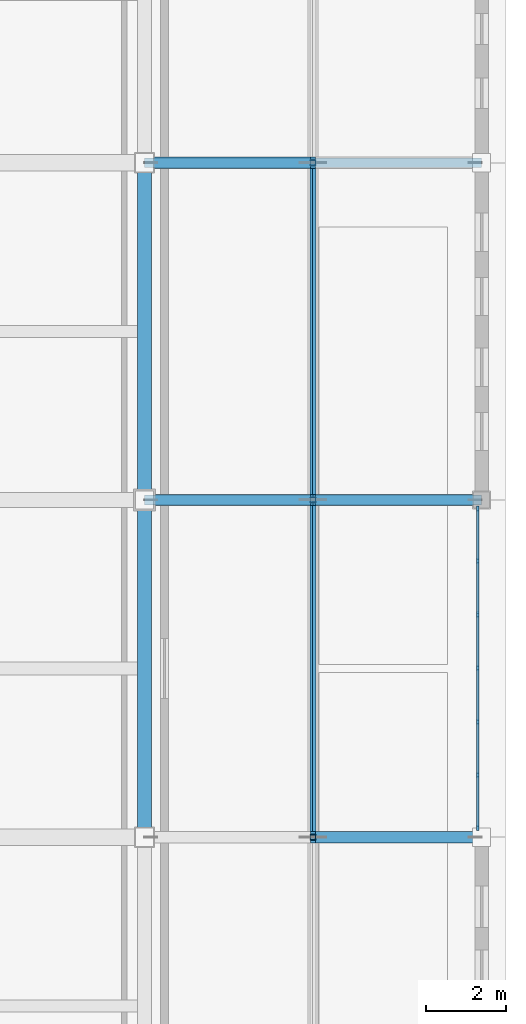
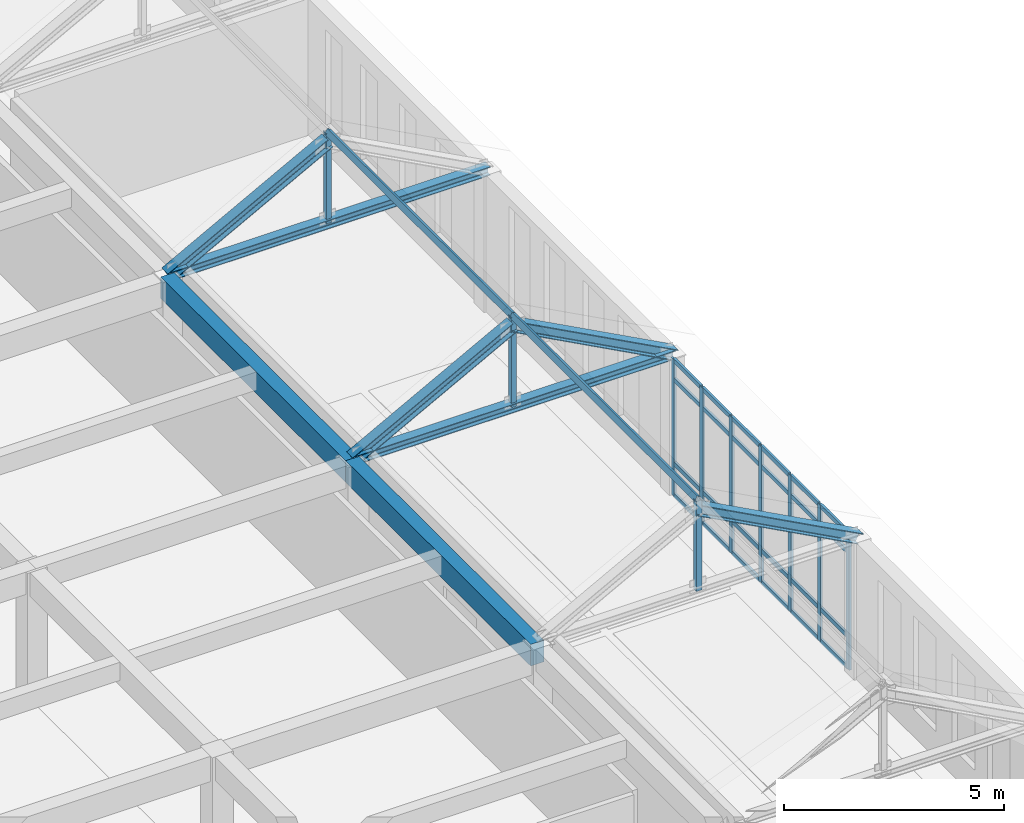
# One storey, part 12 of 36: 42 members, 2 beams, 1 element without a shape of its own.
"""IFC4 building model written with IfcOpenShell, lengths in metres."""

from ifc_helpers import new_model, si_unit, direction, frame, origin, origin_2d, place, context, subcontext, project, spatial, rectangle, hollow_rectangle, i_section, extrude, material, layer, layer_set, material_profile, profile_set, type_object, element, aggregate, save


model = new_model("IFC4")

# Units and contexts
model_context = context("Model", 3, precision=1e-05, world=origin(), true_north=direction((0.0, 1.0)))
body_context = subcontext(model_context, "Body", "Model", "MODEL_VIEW")
ifc_project = project(units=[si_unit("LENGTHUNIT", "METRE"), si_unit("AREAUNIT", "SQUARE_METRE"), si_unit("VOLUMEUNIT", "CUBIC_METRE"), si_unit("PLANEANGLEUNIT", "RADIAN"), si_unit("MASSUNIT", "GRAM", prefix="KILO")], contexts=[model_context])

# Site, building, storey
site_placement = place(None, origin())
site = spatial("IfcSite", under=ifc_project, at=site_placement, CompositionType="ELEMENT")
building_placement = place(site_placement, origin())
building = spatial("IfcBuilding", under=site, at=building_placement, Name="Kveldsbrygga Polytechnic", CompositionType="ELEMENT")
storey_placement = place(building_placement, frame((0.0, 0.0, 22.10009765625)))
storey = spatial("IfcBuildingStorey", under=building, at=storey_placement, Name="L05", CompositionType="ELEMENT", Elevation=22.10009765625)

# Beams
ifc_material_1 = material(Name="Concrete C35/45", Category="concrete")
ifc_material_profile_1 = material_profile(ifc_material_1, rectangle(XDim=0.35009765625, YDim=0.60009765625, at=origin_2d()), Name="RC 350x600")
ifc_profile_set_1 = profile_set([ifc_material_profile_1], Name="Concrete C35/45")
beam_type = type_object("IfcBeamType", Name="BM-SPANDREL-600", PredefinedType="T_BEAM", material=ifc_profile_set_1)
beam_1_placement = place(storey_placement, frame((159.60009765625, 50.39990234375, 3.47998046875), z_axis=(0.0, 1.0, 0.0), x_axis=(-1.0, 0.0, 0.0)))
element("IfcBeam", 1, at=beam_1_placement, inside=storey, type_object=beam_type, Name="Primary Beam BMY-L05-19-06to07", PredefinedType="T_BEAM", context=body_context, shape_type="SweptSolid", body=[
    extrude(rectangle(XDim=0.35009765625, YDim=0.60009765625, at=origin_2d()), origin(), (0.0, 0.0, 1.0), 8.400146484375),
])
beam_2_placement = place(storey_placement, frame((159.60009765625, 58.800048828125, 3.47998046875), z_axis=(0.0, 1.0, 0.0), x_axis=(-1.0, 0.0, 0.0)))
element("IfcBeam", 2, at=beam_2_placement, inside=storey, type_object=beam_type, Name="Primary Beam BMY-L05-19-07to08", PredefinedType="T_BEAM", context=body_context, shape_type="SweptSolid", body=[
    extrude(rectangle(XDim=0.35009765625, YDim=0.60009765625, at=origin_2d()), origin(), (0.0, 0.0, 1.0), 8.39990234375),
])

# Curtain wall, members
ifc_material_2 = material(Name="Anodised aluminium AW-6060", Category="aluminium")
ifc_layer = layer(ifc_material_2, 0.179931640625)
ifc_layer_set = layer_set([ifc_layer], Name="Anodised aluminium AW-6060")
curtain_wall_type = type_object("IfcCurtainWallType", Name="CW-CONC-A", PredefinedType="USERDEFINED", material=ifc_layer_set)
curtain_wall_placement = place(storey_placement, origin())
curtain_wall = element("IfcCurtainWall", 3, at=curtain_wall_placement, inside=storey, type_object=curtain_wall_type, Name="Curtain Wall CW-L05-Y-20-06", ObjectType="UNITISED CURTAIN WALL", PredefinedType="USERDEFINED")
ifc_material_profile_2 = material_profile(ifc_material_2, rectangle(XDim=0.06005859375, YDim=0.139892578125, at=origin_2d()), Name="ALU 60x140")
ifc_profile_set_2 = profile_set([ifc_material_profile_2], Name="Anodised aluminium AW-6060")
member_type_1 = type_object("IfcMemberType", Name="CW-MUL-140", PredefinedType="MULLION", material=ifc_profile_set_2)
member_1_placement = place(storey_placement, frame((167.89990234375, 50.639892578125, 0.0), z_axis=(0.0, 0.0, 1.0), x_axis=(-1.0, 0.0, 0.0)))
member_1 = element("IfcMember", 4, at=member_1_placement, type_object=member_type_1, Name="CW-01 mullion 1", PredefinedType="MULLION", context=body_context, shape_type="SweptSolid", body=[
    extrude(rectangle(XDim=0.06005859375, YDim=0.139892578125, at=origin_2d()), origin(), (0.0, 0.0, 1.0), 3.77978515625),
])
member_2_placement = place(storey_placement, frame((167.89990234375, 51.944091796875, 0.0), z_axis=(0.0, 0.0, 1.0), x_axis=(-1.0, 0.0, 0.0)))
member_2 = element("IfcMember", 5, at=member_2_placement, type_object=member_type_1, Name="CW-01 mullion 2", PredefinedType="MULLION", context=body_context, shape_type="SweptSolid", body=[
    extrude(rectangle(XDim=0.06005859375, YDim=0.139892578125, at=origin_2d()), origin(), (0.0, 0.0, 1.0), 3.77978515625),
])
member_3_placement = place(storey_placement, frame((167.89990234375, 53.2783203125, 0.0), z_axis=(0.0, 0.0, 1.0), x_axis=(-1.0, 0.0, 0.0)))
member_3 = element("IfcMember", 6, at=member_3_placement, type_object=member_type_1, Name="CW-01 mullion 3", PredefinedType="MULLION", context=body_context, shape_type="SweptSolid", body=[
    extrude(rectangle(XDim=0.06005859375, YDim=0.139892578125, at=origin_2d()), origin(), (0.0, 0.0, 1.0), 3.77978515625),
])
member_4_placement = place(storey_placement, frame((167.89990234375, 54.612548828125, 0.0), z_axis=(0.0, 0.0, 1.0), x_axis=(-1.0, 0.0, 0.0)))
member_4 = element("IfcMember", 7, at=member_4_placement, type_object=member_type_1, Name="CW-01 mullion 4", PredefinedType="MULLION", context=body_context, shape_type="SweptSolid", body=[
    extrude(rectangle(XDim=0.06005859375, YDim=0.139892578125, at=origin_2d()), origin(), (0.0, 0.0, 1.0), 3.77978515625),
])
member_5_placement = place(storey_placement, frame((167.89990234375, 55.94677734375, 0.0), z_axis=(0.0, 0.0, 1.0), x_axis=(-1.0, 0.0, 0.0)))
member_5 = element("IfcMember", 8, at=member_5_placement, type_object=member_type_1, Name="CW-01 mullion 5", PredefinedType="MULLION", context=body_context, shape_type="SweptSolid", body=[
    extrude(rectangle(XDim=0.06005859375, YDim=0.139892578125, at=origin_2d()), origin(), (0.0, 0.0, 1.0), 3.77978515625),
])
member_6_placement = place(storey_placement, frame((167.89990234375, 57.28076171875, 0.0), z_axis=(0.0, 0.0, 1.0), x_axis=(-1.0, 0.0, 0.0)))
member_6 = element("IfcMember", 9, at=member_6_placement, type_object=member_type_1, Name="CW-01 mullion 6", PredefinedType="MULLION", context=body_context, shape_type="SweptSolid", body=[
    extrude(rectangle(XDim=0.06005859375, YDim=0.139892578125, at=origin_2d()), origin(), (0.0, 0.0, 1.0), 3.77978515625),
])
member_7_placement = place(storey_placement, frame((167.89990234375, 58.5849609375, 0.0), z_axis=(0.0, 0.0, 1.0), x_axis=(-1.0, 0.0, 0.0)))
member_7 = element("IfcMember", 10, at=member_7_placement, type_object=member_type_1, Name="CW-01 mullion 7", PredefinedType="MULLION", context=body_context, shape_type="SweptSolid", body=[
    extrude(rectangle(XDim=0.06005859375, YDim=0.139892578125, at=origin_2d()), origin(), (0.0, 0.0, 1.0), 3.77978515625),
])
ifc_material_profile_3 = material_profile(ifc_material_2, rectangle(XDim=0.06005859375, YDim=0.1201171875, at=origin_2d()), Name="ALU 60x120")
ifc_profile_set_3 = profile_set([ifc_material_profile_3], Name="Anodised aluminium AW-6060")
member_type_2 = type_object("IfcMemberType", Name="CW-TRN-120", PredefinedType="USERDEFINED", material=ifc_profile_set_3)
member_8_placement = place(storey_placement, frame((167.89990234375, 50.669921875, 0.02978515625), z_axis=(0.0, 1.0, 0.0), x_axis=(-1.0, 0.0, 0.0)))
member_8 = element("IfcMember", 11, at=member_8_placement, type_object=member_type_2, Name="CW-01 transom 1.1", ObjectType="TRANSOM", PredefinedType="USERDEFINED", context=body_context, shape_type="SweptSolid", body=[
    extrude(rectangle(XDim=0.06005859375, YDim=0.1201171875, at=origin_2d()), origin(), (0.0, 0.0, 1.0), 1.244140625),
])
member_9_placement = place(storey_placement, frame((167.89990234375, 50.669921875, 0.89990234375), z_axis=(0.0, 1.0, 0.0), x_axis=(-1.0, 0.0, 0.0)))
member_9 = element("IfcMember", 12, at=member_9_placement, type_object=member_type_2, Name="CW-01 transom 1.2", ObjectType="TRANSOM", PredefinedType="USERDEFINED", context=body_context, shape_type="SweptSolid", body=[
    extrude(rectangle(XDim=0.06005859375, YDim=0.1201171875, at=origin_2d()), origin(), (0.0, 0.0, 1.0), 1.244140625),
])
member_10_placement = place(storey_placement, frame((167.89990234375, 50.669921875, 3.22998046875), z_axis=(0.0, 1.0, 0.0), x_axis=(-1.0, 0.0, 0.0)))
member_10 = element("IfcMember", 13, at=member_10_placement, type_object=member_type_2, Name="CW-01 transom 1.3", ObjectType="TRANSOM", PredefinedType="USERDEFINED", context=body_context, shape_type="SweptSolid", body=[
    extrude(rectangle(XDim=0.06005859375, YDim=0.1201171875, at=origin_2d()), origin(), (0.0, 0.0, 1.0), 1.244140625),
])
member_11_placement = place(storey_placement, frame((167.89990234375, 50.669921875, 3.75), z_axis=(0.0, 1.0, 0.0), x_axis=(-1.0, 0.0, 0.0)))
member_11 = element("IfcMember", 14, at=member_11_placement, type_object=member_type_2, Name="CW-01 transom 1.4", ObjectType="TRANSOM", PredefinedType="USERDEFINED", context=body_context, shape_type="SweptSolid", body=[
    extrude(rectangle(XDim=0.06005859375, YDim=0.1201171875, at=origin_2d()), origin(), (0.0, 0.0, 1.0), 1.244140625),
])
member_12_placement = place(storey_placement, frame((167.89990234375, 51.97412109375, 0.02978515625), z_axis=(0.0, 1.0, 0.0), x_axis=(-1.0, 0.0, 0.0)))
member_12 = element("IfcMember", 15, at=member_12_placement, type_object=member_type_2, Name="CW-01 transom 2.1", ObjectType="TRANSOM", PredefinedType="USERDEFINED", context=body_context, shape_type="SweptSolid", body=[
    extrude(rectangle(XDim=0.06005859375, YDim=0.1201171875, at=origin_2d()), origin(), (0.0, 0.0, 1.0), 1.274169921875),
])
member_13_placement = place(storey_placement, frame((167.89990234375, 51.97412109375, 0.89990234375), z_axis=(0.0, 1.0, 0.0), x_axis=(-1.0, 0.0, 0.0)))
member_13 = element("IfcMember", 16, at=member_13_placement, type_object=member_type_2, Name="CW-01 transom 2.2", ObjectType="TRANSOM", PredefinedType="USERDEFINED", context=body_context, shape_type="SweptSolid", body=[
    extrude(rectangle(XDim=0.06005859375, YDim=0.1201171875, at=origin_2d()), origin(), (0.0, 0.0, 1.0), 1.274169921875),
])
member_14_placement = place(storey_placement, frame((167.89990234375, 51.97412109375, 3.22998046875), z_axis=(0.0, 1.0, 0.0), x_axis=(-1.0, 0.0, 0.0)))
member_14 = element("IfcMember", 17, at=member_14_placement, type_object=member_type_2, Name="CW-01 transom 2.3", ObjectType="TRANSOM", PredefinedType="USERDEFINED", context=body_context, shape_type="SweptSolid", body=[
    extrude(rectangle(XDim=0.06005859375, YDim=0.1201171875, at=origin_2d()), origin(), (0.0, 0.0, 1.0), 1.274169921875),
])
member_15_placement = place(storey_placement, frame((167.89990234375, 51.97412109375, 3.75), z_axis=(0.0, 1.0, 0.0), x_axis=(-1.0, 0.0, 0.0)))
member_15 = element("IfcMember", 18, at=member_15_placement, type_object=member_type_2, Name="CW-01 transom 2.4", ObjectType="TRANSOM", PredefinedType="USERDEFINED", context=body_context, shape_type="SweptSolid", body=[
    extrude(rectangle(XDim=0.06005859375, YDim=0.1201171875, at=origin_2d()), origin(), (0.0, 0.0, 1.0), 1.274169921875),
])
member_16_placement = place(storey_placement, frame((167.89990234375, 53.308349609375, 0.02978515625), z_axis=(0.0, 1.0, 0.0), x_axis=(-1.0, 0.0, 0.0)))
member_16 = element("IfcMember", 19, at=member_16_placement, type_object=member_type_2, Name="CW-01 transom 3.1", ObjectType="TRANSOM", PredefinedType="USERDEFINED", context=body_context, shape_type="SweptSolid", body=[
    extrude(rectangle(XDim=0.06005859375, YDim=0.1201171875, at=origin_2d()), origin(), (0.0, 0.0, 1.0), 1.274169921875),
])
member_17_placement = place(storey_placement, frame((167.89990234375, 53.308349609375, 0.89990234375), z_axis=(0.0, 1.0, 0.0), x_axis=(-1.0, 0.0, 0.0)))
member_17 = element("IfcMember", 20, at=member_17_placement, type_object=member_type_2, Name="CW-01 transom 3.2", ObjectType="TRANSOM", PredefinedType="USERDEFINED", context=body_context, shape_type="SweptSolid", body=[
    extrude(rectangle(XDim=0.06005859375, YDim=0.1201171875, at=origin_2d()), origin(), (0.0, 0.0, 1.0), 1.274169921875),
])
member_18_placement = place(storey_placement, frame((167.89990234375, 53.308349609375, 3.22998046875), z_axis=(0.0, 1.0, 0.0), x_axis=(-1.0, 0.0, 0.0)))
member_18 = element("IfcMember", 21, at=member_18_placement, type_object=member_type_2, Name="CW-01 transom 3.3", ObjectType="TRANSOM", PredefinedType="USERDEFINED", context=body_context, shape_type="SweptSolid", body=[
    extrude(rectangle(XDim=0.06005859375, YDim=0.1201171875, at=origin_2d()), origin(), (0.0, 0.0, 1.0), 1.274169921875),
])
member_19_placement = place(storey_placement, frame((167.89990234375, 53.308349609375, 3.75), z_axis=(0.0, 1.0, 0.0), x_axis=(-1.0, 0.0, 0.0)))
member_19 = element("IfcMember", 22, at=member_19_placement, type_object=member_type_2, Name="CW-01 transom 3.4", ObjectType="TRANSOM", PredefinedType="USERDEFINED", context=body_context, shape_type="SweptSolid", body=[
    extrude(rectangle(XDim=0.06005859375, YDim=0.1201171875, at=origin_2d()), origin(), (0.0, 0.0, 1.0), 1.274169921875),
])
member_20_placement = place(storey_placement, frame((167.89990234375, 54.642578125, 0.02978515625), z_axis=(0.0, 1.0, 0.0), x_axis=(-1.0, 0.0, 0.0)))
member_20 = element("IfcMember", 23, at=member_20_placement, type_object=member_type_2, Name="CW-01 transom 4.1", ObjectType="TRANSOM", PredefinedType="USERDEFINED", context=body_context, shape_type="SweptSolid", body=[
    extrude(rectangle(XDim=0.06005859375, YDim=0.1201171875, at=origin_2d()), origin(), (0.0, 0.0, 1.0), 1.274169921875),
])
member_21_placement = place(storey_placement, frame((167.89990234375, 54.642578125, 0.89990234375), z_axis=(0.0, 1.0, 0.0), x_axis=(-1.0, 0.0, 0.0)))
member_21 = element("IfcMember", 24, at=member_21_placement, type_object=member_type_2, Name="CW-01 transom 4.2", ObjectType="TRANSOM", PredefinedType="USERDEFINED", context=body_context, shape_type="SweptSolid", body=[
    extrude(rectangle(XDim=0.06005859375, YDim=0.1201171875, at=origin_2d()), origin(), (0.0, 0.0, 1.0), 1.274169921875),
])
member_22_placement = place(storey_placement, frame((167.89990234375, 54.642578125, 3.22998046875), z_axis=(0.0, 1.0, 0.0), x_axis=(-1.0, 0.0, 0.0)))
member_22 = element("IfcMember", 25, at=member_22_placement, type_object=member_type_2, Name="CW-01 transom 4.3", ObjectType="TRANSOM", PredefinedType="USERDEFINED", context=body_context, shape_type="SweptSolid", body=[
    extrude(rectangle(XDim=0.06005859375, YDim=0.1201171875, at=origin_2d()), origin(), (0.0, 0.0, 1.0), 1.274169921875),
])
member_23_placement = place(storey_placement, frame((167.89990234375, 54.642578125, 3.75), z_axis=(0.0, 1.0, 0.0), x_axis=(-1.0, 0.0, 0.0)))
member_23 = element("IfcMember", 26, at=member_23_placement, type_object=member_type_2, Name="CW-01 transom 4.4", ObjectType="TRANSOM", PredefinedType="USERDEFINED", context=body_context, shape_type="SweptSolid", body=[
    extrude(rectangle(XDim=0.06005859375, YDim=0.1201171875, at=origin_2d()), origin(), (0.0, 0.0, 1.0), 1.274169921875),
])
member_24_placement = place(storey_placement, frame((167.89990234375, 55.9765625, 0.02978515625), z_axis=(0.0, 1.0, 0.0), x_axis=(-1.0, 0.0, 0.0)))
member_24 = element("IfcMember", 27, at=member_24_placement, type_object=member_type_2, Name="CW-01 transom 5.1", ObjectType="TRANSOM", PredefinedType="USERDEFINED", context=body_context, shape_type="SweptSolid", body=[
    extrude(rectangle(XDim=0.06005859375, YDim=0.1201171875, at=origin_2d()), origin(), (0.0, 0.0, 1.0), 1.274169921875),
])
member_25_placement = place(storey_placement, frame((167.89990234375, 55.9765625, 0.89990234375), z_axis=(0.0, 1.0, 0.0), x_axis=(-1.0, 0.0, 0.0)))
member_25 = element("IfcMember", 28, at=member_25_placement, type_object=member_type_2, Name="CW-01 transom 5.2", ObjectType="TRANSOM", PredefinedType="USERDEFINED", context=body_context, shape_type="SweptSolid", body=[
    extrude(rectangle(XDim=0.06005859375, YDim=0.1201171875, at=origin_2d()), origin(), (0.0, 0.0, 1.0), 1.274169921875),
])
member_26_placement = place(storey_placement, frame((167.89990234375, 55.9765625, 3.22998046875), z_axis=(0.0, 1.0, 0.0), x_axis=(-1.0, 0.0, 0.0)))
member_26 = element("IfcMember", 29, at=member_26_placement, type_object=member_type_2, Name="CW-01 transom 5.3", ObjectType="TRANSOM", PredefinedType="USERDEFINED", context=body_context, shape_type="SweptSolid", body=[
    extrude(rectangle(XDim=0.06005859375, YDim=0.1201171875, at=origin_2d()), origin(), (0.0, 0.0, 1.0), 1.274169921875),
])
member_27_placement = place(storey_placement, frame((167.89990234375, 55.9765625, 3.75), z_axis=(0.0, 1.0, 0.0), x_axis=(-1.0, 0.0, 0.0)))
member_27 = element("IfcMember", 30, at=member_27_placement, type_object=member_type_2, Name="CW-01 transom 5.4", ObjectType="TRANSOM", PredefinedType="USERDEFINED", context=body_context, shape_type="SweptSolid", body=[
    extrude(rectangle(XDim=0.06005859375, YDim=0.1201171875, at=origin_2d()), origin(), (0.0, 0.0, 1.0), 1.274169921875),
])
member_28_placement = place(storey_placement, frame((167.89990234375, 57.310791015625, 0.02978515625), z_axis=(0.0, 1.0, 0.0), x_axis=(-1.0, 0.0, 0.0)))
member_28 = element("IfcMember", 31, at=member_28_placement, type_object=member_type_2, Name="CW-01 transom 6.1", ObjectType="TRANSOM", PredefinedType="USERDEFINED", context=body_context, shape_type="SweptSolid", body=[
    extrude(rectangle(XDim=0.06005859375, YDim=0.1201171875, at=origin_2d()), origin(), (0.0, 0.0, 1.0), 1.244140625),
])
member_29_placement = place(storey_placement, frame((167.89990234375, 57.310791015625, 0.89990234375), z_axis=(0.0, 1.0, 0.0), x_axis=(-1.0, 0.0, 0.0)))
member_29 = element("IfcMember", 32, at=member_29_placement, type_object=member_type_2, Name="CW-01 transom 6.2", ObjectType="TRANSOM", PredefinedType="USERDEFINED", context=body_context, shape_type="SweptSolid", body=[
    extrude(rectangle(XDim=0.06005859375, YDim=0.1201171875, at=origin_2d()), origin(), (0.0, 0.0, 1.0), 1.244140625),
])
member_30_placement = place(storey_placement, frame((167.89990234375, 57.310791015625, 3.22998046875), z_axis=(0.0, 1.0, 0.0), x_axis=(-1.0, 0.0, 0.0)))
member_30 = element("IfcMember", 33, at=member_30_placement, type_object=member_type_2, Name="CW-01 transom 6.3", ObjectType="TRANSOM", PredefinedType="USERDEFINED", context=body_context, shape_type="SweptSolid", body=[
    extrude(rectangle(XDim=0.06005859375, YDim=0.1201171875, at=origin_2d()), origin(), (0.0, 0.0, 1.0), 1.244140625),
])
member_31_placement = place(storey_placement, frame((167.89990234375, 57.310791015625, 3.75), z_axis=(0.0, 1.0, 0.0), x_axis=(-1.0, 0.0, 0.0)))
member_31 = element("IfcMember", 34, at=member_31_placement, type_object=member_type_2, Name="CW-01 transom 6.4", ObjectType="TRANSOM", PredefinedType="USERDEFINED", context=body_context, shape_type="SweptSolid", body=[
    extrude(rectangle(XDim=0.06005859375, YDim=0.1201171875, at=origin_2d()), origin(), (0.0, 0.0, 1.0), 1.244140625),
])
aggregate(curtain_wall, [member_1, member_2, member_3, member_4, member_5, member_6, member_7, member_8, member_9, member_10, member_11, member_12, member_13, member_14, member_15, member_16, member_17, member_18, member_19, member_20, member_21, member_22, member_23, member_24, member_25, member_26, member_27, member_28, member_29, member_30, member_31])

# Members
ifc_material_3 = material(Name="Steel S355", Category="steel")
ifc_material_profile_4 = material_profile(ifc_material_3, hollow_rectangle(XDim=0.10009765625, YDim=0.14990234375, WallThickness=0.008056640625, at=origin_2d()), Name="RHS 150x100x8.0")
ifc_profile_set_4 = profile_set([ifc_material_profile_4], Name="Steel S355")
member_type_3 = type_object("IfcMemberType", Name="PRL-RHS150", PredefinedType="PURLIN", material=ifc_profile_set_4)
member_32_placement = place(storey_placement, frame((163.800048828125, 50.39990234375, 6.27392578125), z_axis=(0.0, 1.0, 0.0), x_axis=(-0.881479888517, 0.0, 0.472221564671)))
element("IfcMember", 35, at=member_32_placement, inside=storey, type_object=member_type_3, Name="Roof Purlin V4E6-PRL-5-1", PredefinedType="PURLIN", context=body_context, shape_type="SweptSolid", body=[
    extrude(hollow_rectangle(XDim=0.10009765625, YDim=0.14990234375, WallThickness=0.008056640625, at=origin_2d()), origin(), (0.0, 0.0, 1.0), 8.400146484375),
])
member_33_placement = place(storey_placement, frame((163.800048828125, 58.800048828125, 6.27392578125), z_axis=(0.0, 1.0, 0.0), x_axis=(-0.881479888517, 0.0, 0.472221564671)))
element("IfcMember", 36, at=member_33_placement, inside=storey, type_object=member_type_3, Name="Roof Purlin V4E6-PRL-6-1", PredefinedType="PURLIN", context=body_context, shape_type="SweptSolid", body=[
    extrude(hollow_rectangle(XDim=0.10009765625, YDim=0.14990234375, WallThickness=0.008056640625, at=origin_2d()), origin(), (0.0, 0.0, 1.0), 8.39990234375),
])
ifc_material_profile_5 = material_profile(ifc_material_3, i_section(OverallWidth=0.239990234375, OverallDepth=0.239990234375, WebThickness=0.010009765625, FlangeThickness=0.01708984375, FilletRadius=0.02099609375, at=origin_2d()), Name="HEB 240")
ifc_profile_set_5 = profile_set([ifc_material_profile_5], Name="Steel S355")
member_type_4 = type_object("IfcMemberType", Name="TR-BOT-HEB240", PredefinedType="CHORD", material=ifc_profile_set_5)
for number, where, z_axis, x_axis, name in (
    (37, (159.60009765625, 58.800048828125, 3.77978515625), (1.0, 0.0, 0.0), (0.0, 1.0, 0.0), "Truss Bottom Chord V4E6-T06-BC-1"),
    (38, (159.60009765625, 67.199951171875, 3.77978515625), (1.0, 0.0, 0.0), (0.0, 1.0, 0.0), "Truss Bottom Chord V4E6-T07-BC-1"),
):
    element("IfcMember", number, at=place(storey_placement, frame(where, z_axis=z_axis, x_axis=x_axis)), inside=storey, type_object=member_type_4, Name=name, PredefinedType="CHORD", context=body_context, shape_type="SweptSolid", body=[
        extrude(i_section(OverallWidth=0.239990234375, OverallDepth=0.239990234375, WebThickness=0.010009765625, FlangeThickness=0.01708984375, FilletRadius=0.02099609375, at=origin_2d()), origin(), (0.0, 0.0, 1.0), 8.39990234375),
    ])
ifc_material_profile_6 = material_profile(ifc_material_3, hollow_rectangle(XDim=0.139892578125, YDim=0.139892578125, WallThickness=0.008056640625, at=origin_2d()), Name="SHS 140x140x8.0")
ifc_profile_set_6 = profile_set([ifc_material_profile_6], Name="Steel S355")
member_type_5 = type_object("IfcMemberType", Name="TR-POST-SHS140", PredefinedType="STRUT", material=ifc_profile_set_6)
for number, where, z_axis, x_axis, name in (
    (39, (163.800048828125, 50.39990234375, 3.77978515625), (0.0, 0.0, 1.0), (1.0, 0.0, 0.0), "Truss Vertical V4E6-T05-VT-1"),
    (40, (163.800048828125, 58.800048828125, 3.77978515625), (0.0, 0.0, 1.0), (1.0, 0.0, 0.0), "Truss Vertical V4E6-T06-VT-1"),
    (41, (163.800048828125, 67.199951171875, 3.77978515625), (0.0, 0.0, 1.0), (1.0, 0.0, 0.0), "Truss Vertical V4E6-T07-VT-1"),
):
    element("IfcMember", number, at=place(storey_placement, frame(where, z_axis=z_axis, x_axis=x_axis)), inside=storey, type_object=member_type_5, Name=name, PredefinedType="STRUT", context=body_context, shape_type="SweptSolid", body=[
        extrude(hollow_rectangle(XDim=0.139892578125, YDim=0.139892578125, WallThickness=0.008056640625, at=origin_2d()), origin(), (0.0, 0.0, 1.0), 2.494140625),
    ])
ifc_material_profile_7 = material_profile(ifc_material_3, i_section(OverallWidth=0.280029296875, OverallDepth=0.280029296875, WebThickness=0.010498046875, FlangeThickness=0.01806640625, FilletRadius=0.02392578125, at=origin_2d()), Name="HEB 280")
ifc_profile_set_7 = profile_set([ifc_material_profile_7], Name="Steel S355")
member_type_6 = type_object("IfcMemberType", Name="TR-TOP-HEB280", PredefinedType="CHORD", material=ifc_profile_set_7)
for number, where, z_axis, x_axis, name in (
    (42, (163.800048828125, 50.39990234375, 6.02978515625), (0.881477684796, 0.0, -0.472225678258), (0.0, 1.0, 0.0), "Truss Top Chord V4E6-T05-TC-2"),
    (43, (159.60009765625, 58.800048828125, 3.77978515625), (0.881477684796, 0.0, 0.472225678258), (0.0, 1.0, 0.0), "Truss Top Chord V4E6-T06-TC-1"),
    (44, (163.800048828125, 58.800048828125, 6.02978515625), (0.881477684796, 0.0, -0.472225678258), (0.0, 1.0, 0.0), "Truss Top Chord V4E6-T06-TC-2"),
    (45, (159.60009765625, 67.199951171875, 3.77978515625), (0.881477684796, 0.0, 0.472225678258), (0.0, 1.0, 0.0), "Truss Top Chord V4E6-T07-TC-1"),
):
    element("IfcMember", number, at=place(storey_placement, frame(where, z_axis=z_axis, x_axis=x_axis)), inside=storey, type_object=member_type_6, Name=name, PredefinedType="CHORD", context=body_context, shape_type="SweptSolid", body=[
        extrude(i_section(OverallWidth=0.280029296875, OverallDepth=0.280029296875, WebThickness=0.010498046875, FlangeThickness=0.01806640625, FilletRadius=0.02392578125, at=origin_2d()), origin(), (0.0, 0.0, 1.0), 4.7646484375),
    ])

save(model, "model.ifc")
